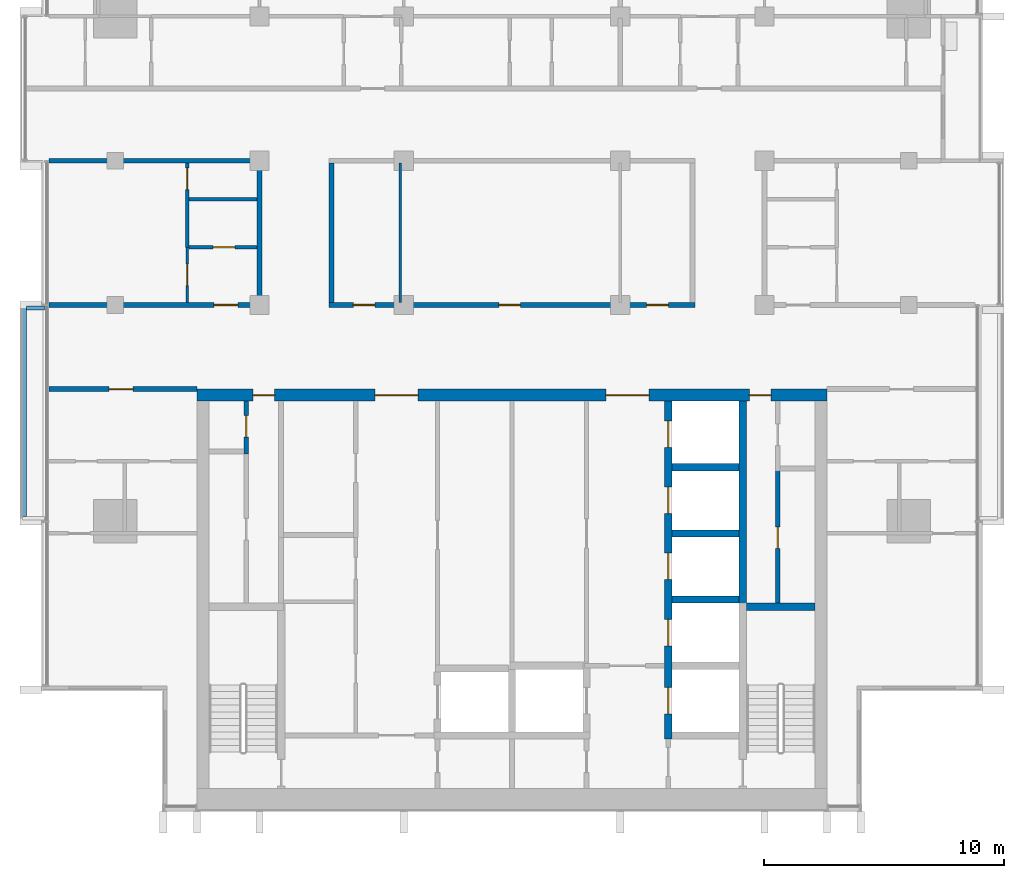
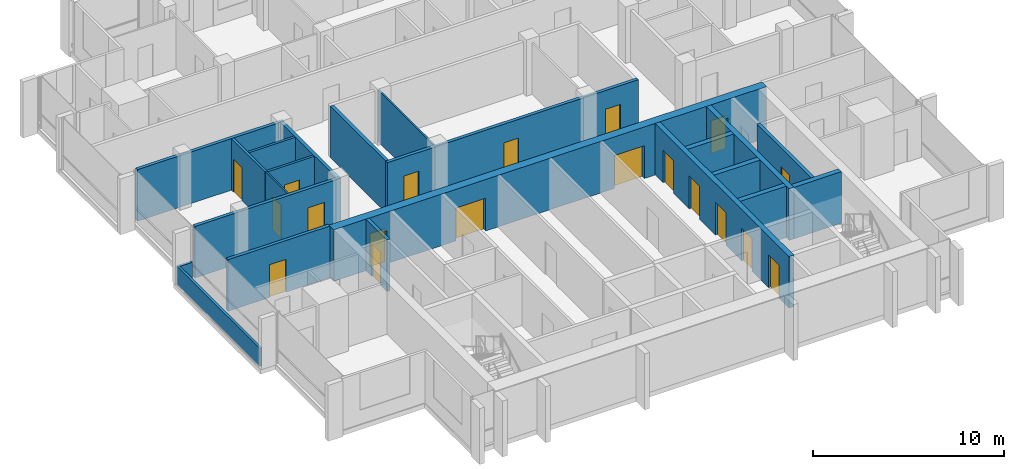
# One storey, part 8 of 16: 22 walls, 19 doors, 19 openings.
"""IFC4 building model written with IfcOpenShell, lengths in metres."""

from ifc_helpers import new_model, si_unit, direction, frame, frame_2d, origin, place, context, subcontext, project, spatial, rectangle, extrude, material, layer, layer_set, type_object, element, fill, save


model = new_model("IFC4")

# Units and contexts
model_context = context("Model", 3, precision=1e-05, world=origin(), true_north=direction((0.0, 1.0)))
body_context = subcontext(model_context, "Body", "Model", "MODEL_VIEW")
ifc_project = project(units=[si_unit("LENGTHUNIT", "METRE"), si_unit("AREAUNIT", "SQUARE_METRE"), si_unit("VOLUMEUNIT", "CUBIC_METRE"), si_unit("PLANEANGLEUNIT", "RADIAN"), si_unit("MASSUNIT", "GRAM", prefix="KILO")], contexts=[model_context])

# Site, building, storey
site_placement = place(None, origin())
site = spatial("IfcSite", under=ifc_project, at=site_placement, CompositionType="ELEMENT")
building_placement = place(site_placement, origin())
building = spatial("IfcBuilding", under=site, at=building_placement, Name="Finial Court Residences", CompositionType="ELEMENT")
storey_placement = place(building_placement, frame((0.0, 0.0, 280.699951171875)))
storey = spatial("IfcBuildingStorey", under=building, at=storey_placement, Name="L71", CompositionType="ELEMENT", Elevation=280.699951171875)

# Wall, openings, doors
ifc_material_1 = material(Name="Concrete C50/60", Category="concrete")
ifc_layer_1 = layer(ifc_material_1, 0.5)
ifc_layer_set_1 = layer_set([ifc_layer_1], Name="Core outer wall 500 Concrete C50/60")
wall_type_1 = type_object("IfcWallType", Name="Core outer wall 500 Concrete C50/60", PredefinedType="SHEAR", material=ifc_layer_set_1)
wall_1_placement = place(storey_placement, frame((-13.10009765625, -8.25, 0.0), z_axis=(0.0, 0.0, 1.0), x_axis=(1.0, 0.0, 0.0)))
wall_1 = element("IfcWall", 1, at=wall_1_placement, inside=storey, type_object=wall_type_1, Name="Core outer wall L71-02", PredefinedType="SHEAR", context=body_context, shape_type="SweptSolid", body=[
    extrude(rectangle(XDim=26.2001953125, YDim=0.5, at=frame_2d((13.10009765625, 0.0))), origin(), (0.0, 0.0, 1.0), 3.300048828125),
])
opening_1_placement = place(wall_1_placement, frame((7.39990234375, 0.0, 0.0)))
opening_1 = element("IfcOpeningElement", 2, at=opening_1_placement, cuts=wall_1, Name="Opening L71-C04", PredefinedType="OPENING", context=body_context, shape_type="SweptSolid", body=[
    extrude(rectangle(XDim=1.800048828125, YDim=2.10009765625, at=frame_2d((0.89990234375, 1.050048828125))), frame((0.0, 0.260009765625, 0.0), z_axis=(0.0, -1.0, 0.0), x_axis=(1.0, 0.0, 0.0)), (0.0, 0.0, 1.0), 0.52001953125),
])
opening_2_placement = place(wall_1_placement, frame((17.0, 0.0, 0.0)))
opening_2 = element("IfcOpeningElement", 3, at=opening_2_placement, cuts=wall_1, Name="Opening L71-C05", PredefinedType="OPENING", context=body_context, shape_type="SweptSolid", body=[
    extrude(rectangle(XDim=1.800048828125, YDim=2.10009765625, at=frame_2d((0.89990234375, 1.050048828125))), frame((0.0, 0.260009765625, 0.0), z_axis=(0.0, -1.0, 0.0), x_axis=(1.0, 0.0, 0.0)), (0.0, 0.0, 1.0), 0.52001953125),
])
opening_3_placement = place(wall_1_placement, frame((2.324951171875, 0.0, 0.0)))
opening_3 = element("IfcOpeningElement", 4, at=opening_3_placement, cuts=wall_1, Name="Opening L71-C10", PredefinedType="OPENING", context=body_context, shape_type="SweptSolid", body=[
    extrude(rectangle(XDim=0.89990234375, YDim=2.10009765625, at=frame_2d((0.449951171875, 1.050048828125))), frame((0.0, 0.260009765625, 0.0), z_axis=(0.0, -1.0, 0.0), x_axis=(1.0, 0.0, 0.0)), (0.0, 0.0, 1.0), 0.52001953125),
])
opening_4_placement = place(wall_1_placement, frame((22.97509765625, 0.0, 0.0)))
opening_4 = element("IfcOpeningElement", 5, at=opening_4_placement, cuts=wall_1, Name="Opening L71-C11", PredefinedType="OPENING", context=body_context, shape_type="SweptSolid", body=[
    extrude(rectangle(XDim=0.89990234375, YDim=2.10009765625, at=frame_2d((0.449951171875, 1.050048828125))), frame((0.0, 0.260009765625, 0.0), z_axis=(0.0, -1.0, 0.0), x_axis=(1.0, 0.0, 0.0)), (0.0, 0.0, 1.0), 0.52001953125),
])
ifc_material_2 = material(Name="Steel fire door", Category="steel")
door_type_1 = type_object("IfcDoorType", Name="Lift lobby door 1800 x 2100 EI 60", OperationType="DOUBLE_DOOR_SINGLE_SWING", PredefinedType="DOOR", material=ifc_material_2)
door_1_placement = place(opening_1_placement, origin())
door_1 = element("IfcDoor", 6, at=door_1_placement, inside=storey, type_object=door_type_1, Name="Lift lobby door L71-C04", OperationType="DOUBLE_DOOR_SINGLE_SWING", OverallHeight=2.10009765625, OverallWidth=1.800048828125, PredefinedType="DOOR", context=body_context, shape_type="SweptSolid", body=[
    extrude(rectangle(XDim=1.800048828125, YDim=2.10009765625, at=frame_2d((0.89990234375, 1.050048828125))), frame((0.0, 0.02490234375, 0.0), z_axis=(0.0, -1.0, 0.0), x_axis=(1.0, 0.0, 0.0)), (0.0, 0.0, 1.0), 0.050048828125),
])
fill(opening_1, door_1)
door_2_placement = place(opening_2_placement, origin())
door_2 = element("IfcDoor", 7, at=door_2_placement, inside=storey, type_object=door_type_1, Name="Lift lobby door L71-C05", OperationType="DOUBLE_DOOR_SINGLE_SWING", OverallHeight=2.10009765625, OverallWidth=1.800048828125, PredefinedType="DOOR", context=body_context, shape_type="SweptSolid", body=[
    extrude(rectangle(XDim=1.800048828125, YDim=2.10009765625, at=frame_2d((0.89990234375, 1.050048828125))), frame((0.0, 0.02490234375, 0.0), z_axis=(0.0, -1.0, 0.0), x_axis=(1.0, 0.0, 0.0)), (0.0, 0.0, 1.0), 0.050048828125),
])
fill(opening_2, door_2)
door_type_2 = type_object("IfcDoorType", Name="Riser room door 900 x 2100 EI 90", OperationType="NOTDEFINED", PredefinedType="DOOR", material=ifc_material_2)
door_3_placement = place(opening_3_placement, origin())
door_3 = element("IfcDoor", 8, at=door_3_placement, inside=storey, type_object=door_type_2, Name="Riser room door L71-C10", OperationType="SINGLE_SWING_RIGHT", OverallHeight=2.10009765625, OverallWidth=0.89990234375, PredefinedType="DOOR", context=body_context, shape_type="SweptSolid", body=[
    extrude(rectangle(XDim=0.89990234375, YDim=2.10009765625, at=frame_2d((0.449951171875, 1.050048828125))), frame((0.0, 0.02490234375, 0.0), z_axis=(0.0, -1.0, 0.0), x_axis=(1.0, 0.0, 0.0)), (0.0, 0.0, 1.0), 0.050048828125),
])
fill(opening_3, door_3)
door_4_placement = place(opening_4_placement, origin())
door_4 = element("IfcDoor", 9, at=door_4_placement, inside=storey, type_object=door_type_2, Name="Riser room door L71-C11", OperationType="SINGLE_SWING_LEFT", OverallHeight=2.10009765625, OverallWidth=0.89990234375, PredefinedType="DOOR", context=body_context, shape_type="SweptSolid", body=[
    extrude(rectangle(XDim=0.89990234375, YDim=2.10009765625, at=frame_2d((0.449951171875, 1.050048828125))), frame((0.0, 0.02490234375, 0.0), z_axis=(0.0, -1.0, 0.0), x_axis=(1.0, 0.0, 0.0)), (0.0, 0.0, 1.0), 0.050048828125),
])
fill(opening_4, door_4)

# Wall, opening, door
ifc_material_3 = material(Name="Gypsum board")
ifc_layer_2 = layer(ifc_material_3, 0.02490234375)
ifc_material_4 = material(Name="Acoustic mineral wool in double frame")
ifc_layer_3 = layer(ifc_material_4, 0.14990234375)
ifc_layer_4 = layer(ifc_material_3, 0.02490234375)
ifc_layer_set_2 = layer_set([ifc_layer_2, ifc_layer_3, ifc_layer_4], Name="Corridor wall 200, 1 hour")
wall_type_2 = type_object("IfcWallType", Name="Corridor wall 200, 1 hour", PredefinedType="PARTITIONING", material=ifc_layer_set_2)
wall_2_placement = place(storey_placement, frame((-19.262451171875, -8.0, 0.0), z_axis=(0.0, 0.0, 1.0), x_axis=(1.0, 0.0, 0.0)))
wall_2 = element("IfcWall", 10, at=wall_2_placement, inside=storey, type_object=wall_type_2, Name="Partition L71-004", PredefinedType="PARTITIONING", context=body_context, shape_type="SweptSolid", body=[
    extrude(rectangle(XDim=6.162353515625, YDim=0.199951171875, at=frame_2d((3.0810546875, 0.0))), origin(), (0.0, 0.0, 1.0), 3.300048828125),
])
opening_5_placement = place(wall_2_placement, frame((2.511962890625, 0.0, 0.0)))
opening_5 = element("IfcOpeningElement", 11, at=opening_5_placement, cuts=wall_2, Name="Opening L71-D007", PredefinedType="OPENING", context=body_context, shape_type="SweptSolid", body=[
    extrude(rectangle(XDim=1.0, YDim=2.10009765625, at=frame_2d((0.5, 1.050048828125))), frame((0.0, 0.10986328125, 0.0), z_axis=(0.0, -1.0, 0.0), x_axis=(1.0, 0.0, 0.0)), (0.0, 0.0, 1.0), 0.219970703125),
])
ifc_material_5 = material(Name="Timber door leaf in hollow metal frame", Category="wood")
door_type_3 = type_object("IfcDoorType", Name="Fire door set 1000 x 2100, 30 minutes", OperationType="SINGLE_SWING_LEFT", PredefinedType="DOOR", material=ifc_material_5)
door_5_placement = place(opening_5_placement, origin())
door_5 = element("IfcDoor", 12, at=door_5_placement, inside=storey, type_object=door_type_3, Name="Door L71-D007", OperationType="SINGLE_SWING_LEFT", OverallHeight=2.10009765625, OverallWidth=1.0, PredefinedType="DOOR", context=body_context, shape_type="SweptSolid", body=[
    extrude(rectangle(XDim=1.0, YDim=2.10009765625, at=frame_2d((0.5, 1.050048828125))), frame((0.0, 0.02490234375, 0.0), z_axis=(0.0, -1.0, 0.0), x_axis=(1.0, 0.0, 0.0)), (0.0, 0.0, 1.0), 0.050048828125),
])
fill(opening_5, door_5)

wall_3_placement = place(storey_placement, frame((-19.262451171875, -4.5, 0.0), z_axis=(0.0, 0.0, 1.0), x_axis=(1.0, 0.0, 0.0)))
wall_3 = element("IfcWall", 13, at=wall_3_placement, inside=storey, type_object=wall_type_2, Name="Partition L71-006", PredefinedType="PARTITIONING", context=body_context, shape_type="SweptSolid", body=[
    extrude(rectangle(XDim=8.862548828125, YDim=0.199951171875, at=frame_2d((4.43115234375, 0.0))), origin(), (0.0, 0.0, 1.0), 3.300048828125),
])
opening_6_placement = place(wall_3_placement, frame((6.862060546875, 0.0, 0.0)))
opening_6 = element("IfcOpeningElement", 14, at=opening_6_placement, cuts=wall_3, Name="Opening L71-D009", PredefinedType="OPENING", context=body_context, shape_type="SweptSolid", body=[
    extrude(rectangle(XDim=1.0, YDim=2.10009765625, at=frame_2d((0.5, 1.050048828125))), frame((0.0, 0.10986328125, 0.0), z_axis=(0.0, -1.0, 0.0), x_axis=(1.0, 0.0, 0.0)), (0.0, 0.0, 1.0), 0.219970703125),
])
door_6_placement = place(opening_6_placement, origin())
door_6 = element("IfcDoor", 15, at=door_6_placement, inside=storey, type_object=door_type_3, Name="Door L71-D009", OperationType="SINGLE_SWING_LEFT", OverallHeight=2.10009765625, OverallWidth=1.0, PredefinedType="DOOR", context=body_context, shape_type="SweptSolid", body=[
    extrude(rectangle(XDim=1.0, YDim=2.10009765625, at=frame_2d((0.5, 1.050048828125))), frame((0.0, 0.02490234375, 0.0), z_axis=(0.0, -1.0, 0.0), x_axis=(1.0, 0.0, 0.0)), (0.0, 0.0, 1.0), 0.050048828125),
])
fill(opening_6, door_6)

# Wall, openings, doors
wall_4_placement = place(storey_placement, frame((-7.60009765625, -4.5, 0.0), z_axis=(0.0, 0.0, 1.0), x_axis=(1.0, 0.0, 0.0)))
wall_4 = element("IfcWall", 16, at=wall_4_placement, inside=storey, type_object=wall_type_2, Name="Partition L71-007", PredefinedType="PARTITIONING", context=body_context, shape_type="SweptSolid", body=[
    extrude(rectangle(XDim=15.2001953125, YDim=0.199951171875, at=frame_2d((7.60009765625, 0.0))), origin(), (0.0, 0.0, 1.0), 3.300048828125),
])
opening_7_placement = place(wall_4_placement, frame((1.0, 0.0, 0.0)))
opening_7 = element("IfcOpeningElement", 17, at=opening_7_placement, cuts=wall_4, Name="Opening L71-D010", PredefinedType="OPENING", context=body_context, shape_type="SweptSolid", body=[
    extrude(rectangle(XDim=0.89990234375, YDim=2.10009765625, at=frame_2d((0.449951171875, 1.050048828125))), frame((0.0, 0.10986328125, 0.0), z_axis=(0.0, -1.0, 0.0), x_axis=(1.0, 0.0, 0.0)), (0.0, 0.0, 1.0), 0.219970703125),
])
opening_8_placement = place(wall_4_placement, frame((7.050048828125, 0.0, 0.0)))
opening_8 = element("IfcOpeningElement", 18, at=opening_8_placement, cuts=wall_4, Name="Opening L71-D011", PredefinedType="OPENING", context=body_context, shape_type="SweptSolid", body=[
    extrude(rectangle(XDim=0.89990234375, YDim=2.10009765625, at=frame_2d((0.449951171875, 1.050048828125))), frame((0.0, 0.10986328125, 0.0), z_axis=(0.0, -1.0, 0.0), x_axis=(1.0, 0.0, 0.0)), (0.0, 0.0, 1.0), 0.219970703125),
])
opening_9_placement = place(wall_4_placement, frame((13.199951171875, 0.0, 0.0)))
opening_9 = element("IfcOpeningElement", 19, at=opening_9_placement, cuts=wall_4, Name="Opening L71-D012", PredefinedType="OPENING", context=body_context, shape_type="SweptSolid", body=[
    extrude(rectangle(XDim=0.89990234375, YDim=2.10009765625, at=frame_2d((0.449951171875, 1.050048828125))), frame((0.0, 0.10986328125, 0.0), z_axis=(0.0, -1.0, 0.0), x_axis=(1.0, 0.0, 0.0)), (0.0, 0.0, 1.0), 0.219970703125),
])
door_type_4 = type_object("IfcDoorType", Name="Fire door set 900 x 2100, 30 minutes", OperationType="SINGLE_SWING_LEFT", PredefinedType="DOOR", material=ifc_material_5)
door_7_placement = place(opening_7_placement, origin())
door_7 = element("IfcDoor", 20, at=door_7_placement, inside=storey, type_object=door_type_4, Name="Door L71-D010", OperationType="SINGLE_SWING_RIGHT", OverallHeight=2.10009765625, OverallWidth=0.89990234375, PredefinedType="DOOR", context=body_context, shape_type="SweptSolid", body=[
    extrude(rectangle(XDim=0.89990234375, YDim=2.10009765625, at=frame_2d((0.449951171875, 1.050048828125))), frame((0.0, 0.02490234375, 0.0), z_axis=(0.0, -1.0, 0.0), x_axis=(1.0, 0.0, 0.0)), (0.0, 0.0, 1.0), 0.050048828125),
])
fill(opening_7, door_7)
door_8_placement = place(opening_8_placement, origin())
door_8 = element("IfcDoor", 21, at=door_8_placement, inside=storey, type_object=door_type_4, Name="Door L71-D011", OperationType="SINGLE_SWING_RIGHT", OverallHeight=2.10009765625, OverallWidth=0.89990234375, PredefinedType="DOOR", context=body_context, shape_type="SweptSolid", body=[
    extrude(rectangle(XDim=0.89990234375, YDim=2.10009765625, at=frame_2d((0.449951171875, 1.050048828125))), frame((0.0, 0.02490234375, 0.0), z_axis=(0.0, -1.0, 0.0), x_axis=(1.0, 0.0, 0.0)), (0.0, 0.0, 1.0), 0.050048828125),
])
fill(opening_8, door_8)
door_9_placement = place(opening_9_placement, origin())
door_9 = element("IfcDoor", 22, at=door_9_placement, inside=storey, type_object=door_type_4, Name="Door L71-D012", OperationType="SINGLE_SWING_LEFT", OverallHeight=2.10009765625, OverallWidth=0.89990234375, PredefinedType="DOOR", context=body_context, shape_type="SweptSolid", body=[
    extrude(rectangle(XDim=0.89990234375, YDim=2.10009765625, at=frame_2d((0.449951171875, 1.050048828125))), frame((0.0, 0.02490234375, 0.0), z_axis=(0.0, -1.0, 0.0), x_axis=(1.0, 0.0, 0.0)), (0.0, 0.0, 1.0), 0.050048828125),
])
fill(opening_9, door_9)

# Walls
wall_5_placement = place(storey_placement, frame((-19.262451171875, 1.5, 0.0), z_axis=(0.0, 0.0, 1.0), x_axis=(1.0, 0.0, 0.0)))
element("IfcWall", 23, at=wall_5_placement, inside=storey, type_object=wall_type_2, Name="Partition L71-013", PredefinedType="PARTITIONING", context=body_context, shape_type="SweptSolid", body=[
    extrude(rectangle(XDim=8.862548828125, YDim=0.199951171875, at=frame_2d((4.43115234375, 0.0))), origin(), (0.0, 0.0, 1.0), 3.300048828125),
])
for number, where, z_axis, x_axis, name in (
    (24, (-10.5, -4.39990234375, 0.0), (0.0, 0.0, 1.0), (0.0, 1.0, 0.0), "Partition L71-035"),
    (25, (-7.5, -4.39990234375, 0.0), (0.0, 0.0, 1.0), (0.0, 1.0, 0.0), "Partition L71-037"),
):
    element("IfcWall", number, at=place(storey_placement, frame(where, z_axis=z_axis, x_axis=x_axis)), inside=storey, type_object=wall_type_2, Name=name, PredefinedType="PARTITIONING", context=body_context, shape_type="SweptSolid", body=[
        extrude(rectangle(XDim=5.7998046875, YDim=0.199951171875, at=frame_2d((2.89990234375, 0.0))), origin(), (0.0, 0.0, 1.0), 3.300048828125),
    ])

# Wall, opening, door
ifc_layer_5 = layer(ifc_material_3, 0.012451171875)
ifc_material_6 = material(Name="Mineral wool in light-gauge frame")
ifc_layer_6 = layer(ifc_material_6, 0.074951171875)
ifc_layer_7 = layer(ifc_material_3, 0.012451171875)
ifc_layer_set_3 = layer_set([ifc_layer_5, ifc_layer_6, ifc_layer_7], Name="Gypsum board partition 100")
wall_type_3 = type_object("IfcWallType", Name="Gypsum board partition 100", PredefinedType="PARTITIONING", material=ifc_layer_set_3)
wall_6_placement = place(storey_placement, frame((-13.5, -4.39990234375, 0.0), z_axis=(0.0, 0.0, 1.0), x_axis=(0.0, 1.0, 0.0)))
wall_6 = element("IfcWall", 26, at=wall_6_placement, inside=storey, type_object=wall_type_3, Name="Partition L71-033", PredefinedType="PARTITIONING", context=body_context, shape_type="SweptSolid", body=[
    extrude(rectangle(XDim=2.2998046875, YDim=0.10009765625, at=frame_2d((1.14990234375, 0.0))), origin(), (0.0, 0.0, 1.0), 3.300048828125),
])
opening_10_placement = place(wall_6_placement, frame((0.699951171875, 0.0, 0.0)))
opening_10 = element("IfcOpeningElement", 27, at=opening_10_placement, cuts=wall_6, Name="Opening L71-D026", PredefinedType="OPENING", context=body_context, shape_type="SweptSolid", body=[
    extrude(rectangle(XDim=0.89990234375, YDim=2.10009765625, at=frame_2d((0.449951171875, 1.050048828125))), frame((0.0, 0.06005859375, 0.0), z_axis=(0.0, -1.0, 0.0), x_axis=(1.0, 0.0, 0.0)), (0.0, 0.0, 1.0), 0.1201171875),
])
ifc_material_7 = material(Name="Timber door leaf in timber frame", Category="wood")
door_type_5 = type_object("IfcDoorType", Name="Door set 900 x 2100", OperationType="SINGLE_SWING_LEFT", PredefinedType="DOOR", material=ifc_material_7)
door_10_placement = place(opening_10_placement, origin())
door_10 = element("IfcDoor", 28, at=door_10_placement, inside=storey, type_object=door_type_5, Name="Door L71-D026", OperationType="SINGLE_SWING_LEFT", OverallHeight=2.10009765625, OverallWidth=0.89990234375, PredefinedType="DOOR", context=body_context, shape_type="SweptSolid", body=[
    extrude(rectangle(XDim=0.89990234375, YDim=2.10009765625, at=frame_2d((0.449951171875, 1.050048828125))), frame((0.0, 0.02490234375, 0.0), z_axis=(0.0, -1.0, 0.0), x_axis=(1.0, 0.0, 0.0)), (0.0, 0.0, 1.0), 0.050048828125),
])
fill(opening_10, door_10)

# Wall
wall_7_placement = place(storey_placement, frame((-4.64990234375, -4.39990234375, 0.0), z_axis=(0.0, 0.0, 1.0), x_axis=(0.0, 1.0, 0.0)))
element("IfcWall", 29, at=wall_7_placement, inside=storey, type_object=wall_type_3, Name="Partition L71-039", PredefinedType="PARTITIONING", context=body_context, shape_type="SweptSolid", body=[
    extrude(rectangle(XDim=5.7998046875, YDim=0.10009765625, at=frame_2d((2.89990234375, 0.0))), origin(), (0.0, 0.0, 1.0), 3.300048828125),
])

# Wall, opening, door
ifc_material_8 = material(Name="Moisture-resistant gypsum board")
ifc_layer_8 = layer(ifc_material_8, 0.012451171875)
ifc_layer_9 = layer(ifc_material_6, 0.125)
ifc_layer_10 = layer(ifc_material_8, 0.012451171875)
ifc_layer_set_4 = layer_set([ifc_layer_8, ifc_layer_9, ifc_layer_10], Name="Gypsum board wet-area partition 150")
wall_type_4 = type_object("IfcWallType", Name="Gypsum board wet-area partition 150", PredefinedType="PARTITIONING", material=ifc_layer_set_4)
wall_8_placement = place(storey_placement, frame((-13.425048828125, -2.10009765625, 0.0), z_axis=(0.0, 0.0, 1.0), x_axis=(1.0, 0.0, 0.0)))
wall_8 = element("IfcWall", 30, at=wall_8_placement, inside=storey, type_object=wall_type_4, Name="Partition L71-009", PredefinedType="PARTITIONING", context=body_context, shape_type="SweptSolid", body=[
    extrude(rectangle(XDim=2.824951171875, YDim=0.14990234375, at=frame_2d((1.41259765625, 0.0))), origin(), (0.0, 0.0, 1.0), 3.300048828125),
])
opening_11_placement = place(wall_8_placement, frame((1.0, 0.0, 0.0)))
opening_11 = element("IfcOpeningElement", 31, at=opening_11_placement, cuts=wall_8, Name="Opening L71-D014", PredefinedType="OPENING", context=body_context, shape_type="SweptSolid", body=[
    extrude(rectangle(XDim=0.89990234375, YDim=2.10009765625, at=frame_2d((0.449951171875, 1.050048828125))), frame((0.0, 0.0849609375, 0.0), z_axis=(0.0, -1.0, 0.0), x_axis=(1.0, 0.0, 0.0)), (0.0, 0.0, 1.0), 0.169921875),
])
door_11_placement = place(opening_11_placement, origin())
door_11 = element("IfcDoor", 32, at=door_11_placement, inside=storey, type_object=door_type_5, Name="Door L71-D014", OperationType="SINGLE_SWING_LEFT", OverallHeight=2.10009765625, OverallWidth=0.89990234375, PredefinedType="DOOR", context=body_context, shape_type="SweptSolid", body=[
    extrude(rectangle(XDim=0.89990234375, YDim=2.10009765625, at=frame_2d((0.449951171875, 1.050048828125))), frame((0.0, 0.02490234375, 0.0), z_axis=(0.0, -1.0, 0.0), x_axis=(1.0, 0.0, 0.0)), (0.0, 0.0, 1.0), 0.050048828125),
])
fill(opening_11, door_11)

# Wall
wall_9_placement = place(storey_placement, frame((-13.425048828125, -0.10009765625, 0.0), z_axis=(0.0, 0.0, 1.0), x_axis=(1.0, 0.0, 0.0)))
element("IfcWall", 33, at=wall_9_placement, inside=storey, type_object=wall_type_4, Name="Partition L71-011", PredefinedType="PARTITIONING", context=body_context, shape_type="SweptSolid", body=[
    extrude(rectangle(XDim=2.824951171875, YDim=0.14990234375, at=frame_2d((1.41259765625, 0.0))), origin(), (0.0, 0.0, 1.0), 3.300048828125),
])

# Wall, opening, door
wall_10_placement = place(storey_placement, frame((-13.5, -2.10009765625, 0.0), z_axis=(0.0, 0.0, 1.0), x_axis=(0.0, 1.0, 0.0)))
wall_10 = element("IfcWall", 34, at=wall_10_placement, inside=storey, type_object=wall_type_4, Name="Partition L71-034", PredefinedType="PARTITIONING", context=body_context, shape_type="SweptSolid", body=[
    extrude(rectangle(XDim=3.5, YDim=0.14990234375, at=frame_2d((1.75, 0.0))), origin(), (0.0, 0.0, 1.0), 3.300048828125),
])
opening_12_placement = place(wall_10_placement, frame((2.39990234375, 0.0, 0.0)))
opening_12 = element("IfcOpeningElement", 35, at=opening_12_placement, cuts=wall_10, Name="Opening L71-D027", PredefinedType="OPENING", context=body_context, shape_type="SweptSolid", body=[
    extrude(rectangle(XDim=0.89990234375, YDim=2.10009765625, at=frame_2d((0.449951171875, 1.050048828125))), frame((0.0, 0.0849609375, 0.0), z_axis=(0.0, -1.0, 0.0), x_axis=(1.0, 0.0, 0.0)), (0.0, 0.0, 1.0), 0.169921875),
])
door_12_placement = place(opening_12_placement, origin())
door_12 = element("IfcDoor", 36, at=door_12_placement, inside=storey, type_object=door_type_5, Name="Door L71-D027", OperationType="SINGLE_SWING_RIGHT", OverallHeight=2.10009765625, OverallWidth=0.89990234375, PredefinedType="DOOR", context=body_context, shape_type="SweptSolid", body=[
    extrude(rectangle(XDim=0.89990234375, YDim=2.10009765625, at=frame_2d((0.449951171875, 1.050048828125))), frame((0.0, 0.02490234375, 0.0), z_axis=(0.0, -1.0, 0.0), x_axis=(1.0, 0.0, 0.0)), (0.0, 0.0, 1.0), 0.050048828125),
])
fill(opening_12, door_12)

# Walls
ifc_material_9 = material(Name="Concrete C35/45", Category="concrete")
ifc_layer_11 = layer(ifc_material_9, 0.14990234375)
ifc_layer_set_5 = layer_set([ifc_layer_11], Name="Ledge parapet, Concrete C35/45 150")
wall_type_5 = type_object("IfcWallType", Name="Ledge parapet, Concrete C35/45 150", PredefinedType="PARAPET", material=ifc_layer_set_5)
wall_11_placement = place(storey_placement, frame((-20.27490234375, -13.300048828125, 0.0), z_axis=(0.0, 0.0, 1.0), x_axis=(0.0, 1.0, 0.0)))
element("IfcWall", 37, at=wall_11_placement, inside=storey, type_object=wall_type_5, Name="E-L71-LED2-P2", PredefinedType="PARAPET", context=body_context, shape_type="SweptSolid", body=[
    extrude(rectangle(XDim=8.75, YDim=0.14990234375, at=frame_2d((4.375, 0.0))), origin(), (0.0, 0.0, 1.0), 1.150146484375),
])
wall_12_placement = place(storey_placement, frame((-20.199951171875, -4.625, 0.0), z_axis=(0.0, 0.0, 1.0), x_axis=(1.0, 0.0, 0.0)))
element("IfcWall", 38, at=wall_12_placement, inside=storey, type_object=wall_type_5, Name="E-L71-LED2-P3", PredefinedType="PARAPET", context=body_context, shape_type="SweptSolid", body=[
    extrude(rectangle(XDim=0.75244140625, YDim=0.14990234375, at=frame_2d((0.376220703125, 0.0))), origin(), (0.0, 0.0, 1.0), 1.150146484375),
])
ifc_layer_12 = layer(ifc_material_1, 0.300048828125)
ifc_layer_set_6 = layer_set([ifc_layer_12], Name="Lift shaft and stair wall 300 Concrete C50/60")
wall_type_6 = type_object("IfcWallType", Name="Lift shaft and stair wall 300 Concrete C50/60", PredefinedType="SHEAR", material=ifc_layer_set_6)
wall_13_placement = place(storey_placement, frame((9.75, -17.050048828125, 0.0), z_axis=(0.0, 0.0, 1.0), x_axis=(1.0, 0.0, 0.0)))
element("IfcWall", 39, at=wall_13_placement, inside=storey, type_object=wall_type_6, Name="Core wall L71-09", PredefinedType="SHEAR", context=body_context, shape_type="SweptSolid", body=[
    extrude(rectangle(XDim=2.85009765625, YDim=0.300048828125, at=frame_2d((1.425048828125, 0.0))), origin(), (0.0, 0.0, 1.0), 3.300048828125),
])
for number, where, z_axis, x_axis, name in (
    (40, (6.64990234375, -16.75, 0.0), (0.0, 0.0, 1.0), (1.0, 0.0, 0.0), "Core wall L71-11"),
    (41, (6.64990234375, -14.0, 0.0), (0.0, 0.0, 1.0), (1.0, 0.0, 0.0), "Core wall L71-13"),
    (42, (6.64990234375, -11.25, 0.0), (0.0, 0.0, 1.0), (1.0, 0.0, 0.0), "Core wall L71-15"),
):
    element("IfcWall", number, at=place(storey_placement, frame(where, z_axis=z_axis, x_axis=x_axis)), inside=storey, type_object=wall_type_6, Name=name, PredefinedType="SHEAR", context=body_context, shape_type="SweptSolid", body=[
        extrude(rectangle(XDim=2.800048828125, YDim=0.300048828125, at=frame_2d((1.39990234375, 0.0))), origin(), (0.0, 0.0, 1.0), 3.300048828125),
    ])

# Wall, openings, doors
wall_14_placement = place(storey_placement, frame((6.5, -22.550048828125, 0.0), z_axis=(0.0, 0.0, 1.0), x_axis=(0.0, 1.0, 0.0)))
wall_14 = element("IfcWall", 43, at=wall_14_placement, inside=storey, type_object=wall_type_6, Name="Core wall L71-34", PredefinedType="SHEAR", context=body_context, shape_type="SweptSolid", body=[
    extrude(rectangle(XDim=14.050048828125, YDim=0.300048828125, at=frame_2d((7.02490234375, 0.0))), origin(), (0.0, 0.0, 1.0), 3.300048828125),
])
opening_13_placement = place(wall_14_placement, frame((1.050048828125, 0.0, 0.0)))
opening_13 = element("IfcOpeningElement", 44, at=opening_13_placement, cuts=wall_14, Name="Opening L71-LD02", PredefinedType="OPENING", context=body_context, shape_type="SweptSolid", body=[
    extrude(rectangle(XDim=1.10009765625, YDim=2.10009765625, at=frame_2d((0.550048828125, 1.050048828125))), frame((0.0, 0.159912109375, 0.0), z_axis=(0.0, -1.0, 0.0), x_axis=(1.0, 0.0, 0.0)), (0.0, 0.0, 1.0), 0.320068359375),
])
opening_14_placement = place(wall_14_placement, frame((3.875, 0.0, 0.0)))
opening_14 = element("IfcOpeningElement", 45, at=opening_14_placement, cuts=wall_14, Name="Opening L71-LD03", PredefinedType="OPENING", context=body_context, shape_type="SweptSolid", body=[
    extrude(rectangle(XDim=1.10009765625, YDim=2.10009765625, at=frame_2d((0.550048828125, 1.050048828125))), frame((0.0, 0.159912109375, 0.0), z_axis=(0.0, -1.0, 0.0), x_axis=(1.0, 0.0, 0.0)), (0.0, 0.0, 1.0), 0.320068359375),
])
opening_15_placement = place(wall_14_placement, frame((6.625, 0.0, 0.0)))
opening_15 = element("IfcOpeningElement", 46, at=opening_15_placement, cuts=wall_14, Name="Opening L71-LD04", PredefinedType="OPENING", context=body_context, shape_type="SweptSolid", body=[
    extrude(rectangle(XDim=1.10009765625, YDim=2.10009765625, at=frame_2d((0.550048828125, 1.050048828125))), frame((0.0, 0.159912109375, 0.0), z_axis=(0.0, -1.0, 0.0), x_axis=(1.0, 0.0, 0.0)), (0.0, 0.0, 1.0), 0.320068359375),
])
opening_16_placement = place(wall_14_placement, frame((9.375, 0.0, 0.0)))
opening_16 = element("IfcOpeningElement", 47, at=opening_16_placement, cuts=wall_14, Name="Opening L71-LD05", PredefinedType="OPENING", context=body_context, shape_type="SweptSolid", body=[
    extrude(rectangle(XDim=1.10009765625, YDim=2.10009765625, at=frame_2d((0.550048828125, 1.050048828125))), frame((0.0, 0.159912109375, 0.0), z_axis=(0.0, -1.0, 0.0), x_axis=(1.0, 0.0, 0.0)), (0.0, 0.0, 1.0), 0.320068359375),
])
opening_17_placement = place(wall_14_placement, frame((12.125, 0.0, 0.0)))
opening_17 = element("IfcOpeningElement", 48, at=opening_17_placement, cuts=wall_14, Name="Opening L71-LD06", PredefinedType="OPENING", context=body_context, shape_type="SweptSolid", body=[
    extrude(rectangle(XDim=1.10009765625, YDim=2.10009765625, at=frame_2d((0.550048828125, 1.050048828125))), frame((0.0, 0.159912109375, 0.0), z_axis=(0.0, -1.0, 0.0), x_axis=(1.0, 0.0, 0.0)), (0.0, 0.0, 1.0), 0.320068359375),
])
ifc_material_10 = material(Name="Stainless steel lift door", Category="steel")
door_type_6 = type_object("IfcDoorType", Name="Lift landing door 1100 x 2100 EI 90", OperationType="DOUBLE_DOOR_SLIDING", PredefinedType="DOOR", material=ifc_material_10)
door_13_placement = place(opening_13_placement, origin())
door_13 = element("IfcDoor", 49, at=door_13_placement, inside=storey, type_object=door_type_6, Name="Lift landing door FF2 L71", OperationType="DOUBLE_DOOR_SLIDING", OverallHeight=2.10009765625, OverallWidth=1.10009765625, PredefinedType="DOOR", context=body_context, shape_type="SweptSolid", body=[
    extrude(rectangle(XDim=1.10009765625, YDim=2.10009765625, at=frame_2d((0.550048828125, 1.050048828125))), frame((0.0, 0.02490234375, 0.0), z_axis=(0.0, -1.0, 0.0), x_axis=(1.0, 0.0, 0.0)), (0.0, 0.0, 1.0), 0.050048828125),
])
fill(opening_13, door_13)
door_14_placement = place(opening_14_placement, origin())
door_14 = element("IfcDoor", 50, at=door_14_placement, inside=storey, type_object=door_type_6, Name="Lift landing door HR5 L71", OperationType="DOUBLE_DOOR_SLIDING", OverallHeight=2.10009765625, OverallWidth=1.10009765625, PredefinedType="DOOR", context=body_context, shape_type="SweptSolid", body=[
    extrude(rectangle(XDim=1.10009765625, YDim=2.10009765625, at=frame_2d((0.550048828125, 1.050048828125))), frame((0.0, 0.02490234375, 0.0), z_axis=(0.0, -1.0, 0.0), x_axis=(1.0, 0.0, 0.0)), (0.0, 0.0, 1.0), 0.050048828125),
])
fill(opening_14, door_14)
door_15_placement = place(opening_15_placement, origin())
door_15 = element("IfcDoor", 51, at=door_15_placement, inside=storey, type_object=door_type_6, Name="Lift landing door HR6 L71", OperationType="DOUBLE_DOOR_SLIDING", OverallHeight=2.10009765625, OverallWidth=1.10009765625, PredefinedType="DOOR", context=body_context, shape_type="SweptSolid", body=[
    extrude(rectangle(XDim=1.10009765625, YDim=2.10009765625, at=frame_2d((0.550048828125, 1.050048828125))), frame((0.0, 0.02490234375, 0.0), z_axis=(0.0, -1.0, 0.0), x_axis=(1.0, 0.0, 0.0)), (0.0, 0.0, 1.0), 0.050048828125),
])
fill(opening_15, door_15)
door_16_placement = place(opening_16_placement, origin())
door_16 = element("IfcDoor", 52, at=door_16_placement, inside=storey, type_object=door_type_6, Name="Lift landing door HR7 L71", OperationType="DOUBLE_DOOR_SLIDING", OverallHeight=2.10009765625, OverallWidth=1.10009765625, PredefinedType="DOOR", context=body_context, shape_type="SweptSolid", body=[
    extrude(rectangle(XDim=1.10009765625, YDim=2.10009765625, at=frame_2d((0.550048828125, 1.050048828125))), frame((0.0, 0.02490234375, 0.0), z_axis=(0.0, -1.0, 0.0), x_axis=(1.0, 0.0, 0.0)), (0.0, 0.0, 1.0), 0.050048828125),
])
fill(opening_16, door_16)
door_17_placement = place(opening_17_placement, origin())
door_17 = element("IfcDoor", 53, at=door_17_placement, inside=storey, type_object=door_type_6, Name="Lift landing door HR8 L71", OperationType="DOUBLE_DOOR_SLIDING", OverallHeight=2.10009765625, OverallWidth=1.10009765625, PredefinedType="DOOR", context=body_context, shape_type="SweptSolid", body=[
    extrude(rectangle(XDim=1.10009765625, YDim=2.10009765625, at=frame_2d((0.550048828125, 1.050048828125))), frame((0.0, 0.02490234375, 0.0), z_axis=(0.0, -1.0, 0.0), x_axis=(1.0, 0.0, 0.0)), (0.0, 0.0, 1.0), 0.050048828125),
])
fill(opening_17, door_17)

# Wall
wall_15_placement = place(storey_placement, frame((9.60009765625, -17.199951171875, 0.0), z_axis=(0.0, 0.0, 1.0), x_axis=(0.0, 1.0, 0.0)))
element("IfcWall", 54, at=wall_15_placement, inside=storey, type_object=wall_type_6, Name="Core wall L71-36", PredefinedType="SHEAR", context=body_context, shape_type="SweptSolid", body=[
    extrude(rectangle(XDim=8.699951171875, YDim=0.300048828125, at=frame_2d((4.35009765625, 0.0))), origin(), (0.0, 0.0, 1.0), 3.300048828125),
])

# Wall, opening, door
ifc_material_11 = material(Name="Fire-rated gypsum board partition")
ifc_layer_13 = layer(ifc_material_11, 0.199951171875)
ifc_layer_set_7 = layer_set([ifc_layer_13], Name="Riser room wall 200 EI 120")
wall_type_7 = type_object("IfcWallType", Name="Riser room wall 200 EI 120", PredefinedType="PARTITIONING", material=ifc_layer_set_7)
wall_16_placement = place(storey_placement, frame((-11.050048828125, -10.699951171875, 0.0), z_axis=(0.0, 0.0, 1.0), x_axis=(0.0, 1.0, 0.0)))
wall_16 = element("IfcWall", 55, at=wall_16_placement, inside=storey, type_object=wall_type_7, Name="Core partition L71-18", PredefinedType="PARTITIONING", context=body_context, shape_type="SweptSolid", body=[
    extrude(rectangle(XDim=2.199951171875, YDim=0.199951171875, at=frame_2d((1.10009765625, 0.0))), origin(), (0.0, 0.0, 1.0), 3.300048828125),
])
opening_18_placement = place(wall_16_placement, frame((0.699951171875, 0.0, 0.0)))
opening_18 = element("IfcOpeningElement", 56, at=opening_18_placement, cuts=wall_16, Name="Opening L71-C07", PredefinedType="OPENING", context=body_context, shape_type="SweptSolid", body=[
    extrude(rectangle(XDim=0.89990234375, YDim=2.10009765625, at=frame_2d((0.449951171875, 1.050048828125))), frame((0.0, 0.10986328125, 0.0), z_axis=(0.0, -1.0, 0.0), x_axis=(1.0, 0.0, 0.0)), (0.0, 0.0, 1.0), 0.219970703125),
])
door_18_placement = place(opening_18_placement, origin())
door_18 = element("IfcDoor", 57, at=door_18_placement, inside=storey, type_object=door_type_2, Name="Riser room door L71-C07", OperationType="SINGLE_SWING_LEFT", OverallHeight=2.10009765625, OverallWidth=0.89990234375, PredefinedType="DOOR", context=body_context, shape_type="SweptSolid", body=[
    extrude(rectangle(XDim=0.89990234375, YDim=2.10009765625, at=frame_2d((0.449951171875, 1.050048828125))), frame((0.0, 0.02490234375, 0.0), z_axis=(0.0, -1.0, 0.0), x_axis=(1.0, 0.0, 0.0)), (0.0, 0.0, 1.0), 0.050048828125),
])
fill(opening_18, door_18)

ifc_layer_14 = layer(ifc_material_11, 0.199951171875)
ifc_layer_set_8 = layer_set([ifc_layer_14], Name="Stair passage wall 200 EI 180")
wall_type_8 = type_object("IfcWallType", Name="Stair passage wall 200 EI 180", PredefinedType="PARTITIONING", material=ifc_layer_set_8)
wall_17_placement = place(storey_placement, frame((11.050048828125, -11.199951171875, 0.0), z_axis=(0.0, 0.0, 1.0), x_axis=(0.0, -1.0, 0.0)))
wall_17 = element("IfcWall", 58, at=wall_17_placement, inside=storey, type_object=wall_type_8, Name="Core partition L71-37", PredefinedType="PARTITIONING", context=body_context, shape_type="SweptSolid", body=[
    extrude(rectangle(XDim=5.699951171875, YDim=0.199951171875, at=frame_2d((2.85009765625, 0.0))), origin(), (0.0, 0.0, 1.0), 3.300048828125),
])
opening_19_placement = place(wall_17_placement, frame((2.52490234375, 0.0, 0.0)))
opening_19 = element("IfcOpeningElement", 59, at=opening_19_placement, cuts=wall_17, Name="Opening L71-C14", PredefinedType="OPENING", context=body_context, shape_type="SweptSolid", body=[
    extrude(rectangle(XDim=0.89990234375, YDim=2.10009765625, at=frame_2d((0.449951171875, 1.050048828125))), frame((0.0, 0.10986328125, 0.0), z_axis=(0.0, -1.0, 0.0), x_axis=(1.0, 0.0, 0.0)), (0.0, 0.0, 1.0), 0.219970703125),
])
door_type_7 = type_object("IfcDoorType", Name="Core room door 900 x 2100 EI 60", OperationType="NOTDEFINED", PredefinedType="DOOR", material=ifc_material_2)
door_19_placement = place(opening_19_placement, origin())
door_19 = element("IfcDoor", 60, at=door_19_placement, inside=storey, type_object=door_type_7, Name="Core room door L71-C14", OperationType="SINGLE_SWING_RIGHT", OverallHeight=2.10009765625, OverallWidth=0.89990234375, PredefinedType="DOOR", context=body_context, shape_type="SweptSolid", body=[
    extrude(rectangle(XDim=0.89990234375, YDim=2.10009765625, at=frame_2d((0.449951171875, 1.050048828125))), frame((0.0, 0.02490234375, 0.0), z_axis=(0.0, -1.0, 0.0), x_axis=(1.0, 0.0, 0.0)), (0.0, 0.0, 1.0), 0.050048828125),
])
fill(opening_19, door_19)

save(model, "model.ifc")
